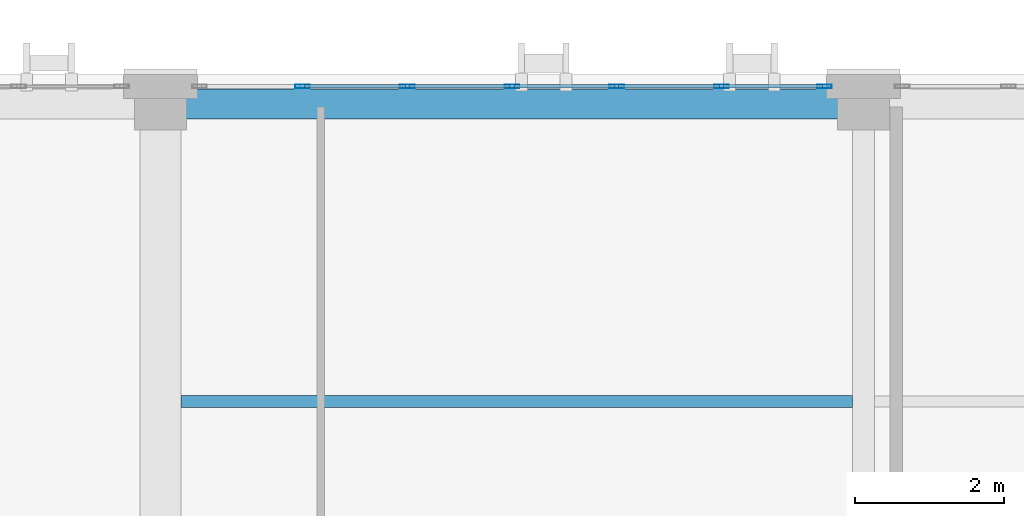
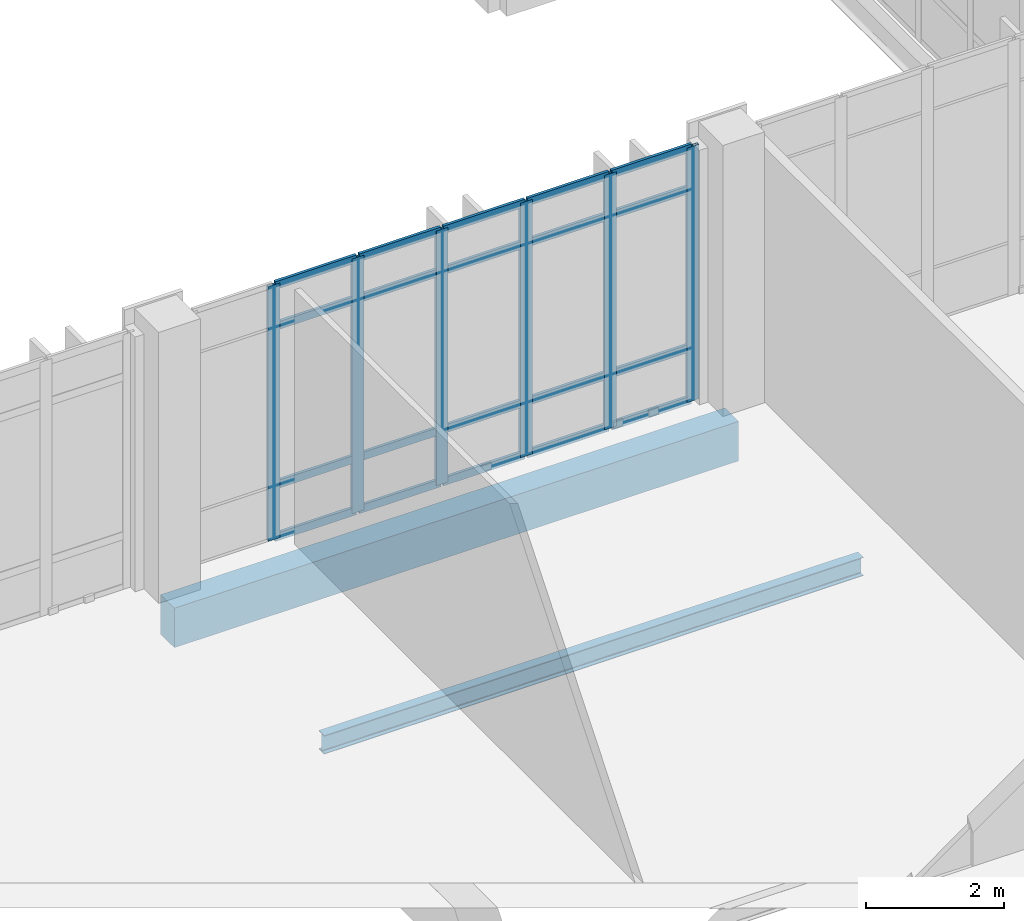
# One storey, part 38 of 189: 26 members, 2 beams, 1 element without a shape of its own.
"""IFC4 building model written with IfcOpenShell, lengths in metres."""

import ifcopenshell
import ifcopenshell.guid

model = None  # the IFC model being written
_history = None  # IfcOwnerHistory: only IFC2X3 demands one
_inside = {}  # id of a spatial element -> (the spatial element, [elements in it])
_under = {}  # id of a project, library or spatial element -> (it, [spatial elements below it])
_declared = {}  # id of a project -> (the project, [libraries it declares])
_typed = {}  # id of a type object -> (the type object, [elements of that type])
_made_of = {}  # id of a material, layer set ... -> (it, [elements and type objects made of it])


def new_model(schema):
    """Start an empty IFC model of exactly this schema.

    Asked for "IFC4X3", IfcOpenShell would pick the latest addendum, in which some entities
    have other attributes; the version numbers below select the first issue.
    IFC2X3 requires an IfcOwnerHistory on every rooted entity: one is made here for all.
    """
    global model, _history
    if schema == "IFC4X3":
        model = ifcopenshell.file(schema_version=(4, 3, 0, 0))
    else:
        model = ifcopenshell.file(schema=schema)
    _inside.clear()
    _under.clear()
    _declared.clear()
    _typed.clear()
    _made_of.clear()
    _history = None
    if model.schema == "IFC2X3":
        org = make("IfcOrganization", Name="unknown")
        user = make(
            "IfcPersonAndOrganization",
            ThePerson=make("IfcPerson", FamilyName="unknown"),
            TheOrganization=org,
        )
        app = make(
            "IfcApplication",
            ApplicationDeveloper=org,
            Version="unknown",
            ApplicationFullName="unknown",
            ApplicationIdentifier="unknown",
        )
        _history = make(
            "IfcOwnerHistory",
            OwningUser=user,
            OwningApplication=app,
            ChangeAction="ADDED",
            CreationDate=0,
        )
    return model


def make(cls, **values):
    """One entity of the class cls with the attributes given. An attribute that is None is left unset."""
    return model.create_entity(
        cls, **{name: value for name, value in values.items() if value is not None}
    )


def rooted(cls, **values):
    """An entity with a GlobalId (a new one), such as an element, a storey or a relation."""
    return make(cls, GlobalId=ifcopenshell.guid.new(), OwnerHistory=_history, **values)


def si_unit(unit_type, name, prefix=None):
    """IfcSIUnit, for example si_unit("LENGTHUNIT", "METRE", prefix="MILLI")."""
    return make("IfcSIUnit", UnitType=unit_type, Prefix=prefix, Name=name)


def assignment(units):
    """IfcUnitAssignment: the units of a project."""
    return None if units is None else make("IfcUnitAssignment", Units=units)


def point(xyz):
    """IfcCartesianPoint."""
    return None if xyz is None else make("IfcCartesianPoint", Coordinates=xyz)


def direction(xyz):
    """IfcDirection."""
    return None if xyz is None else make("IfcDirection", DirectionRatios=xyz)


def frame(location, z_axis=None, x_axis=None):
    """IfcAxis2Placement3D, a coordinate frame: its origin and axes. An axis left out is left unset."""
    return make(
        "IfcAxis2Placement3D",
        Location=point(location),
        Axis=direction(z_axis),
        RefDirection=direction(x_axis),
    )


def frame_2d(location, x_axis=None):
    """IfcAxis2Placement2D, a coordinate frame in the plane: its origin and x axis."""
    return make(
        "IfcAxis2Placement2D", Location=point(location), RefDirection=direction(x_axis)
    )


def origin():
    """The frame at (0, 0, 0) with its axes left unset."""
    return frame((0.0, 0.0, 0.0))


def origin_2d():
    """The frame at (0, 0) in the plane with its x axis left unset."""
    return frame_2d((0.0, 0.0))


def place(relative_to, where):
    """IfcLocalPlacement: puts the frame where relative to a parent placement (None: the world)."""
    return make(
        "IfcLocalPlacement", PlacementRelTo=relative_to, RelativePlacement=where
    )


def context(
    kind, dimensions, precision=None, world=None, true_north=None, identifier=None
):
    """IfcGeometricRepresentationContext, for example the 3D "Model" context."""
    return make(
        "IfcGeometricRepresentationContext",
        ContextIdentifier=identifier,
        ContextType=kind,
        CoordinateSpaceDimension=dimensions,
        Precision=precision,
        WorldCoordinateSystem=world,
        TrueNorth=true_north,
    )


def subcontext(parent, identifier, kind, view, scale=None):
    """IfcGeometricRepresentationSubContext, for example "Body" below "Model"."""
    return make(
        "IfcGeometricRepresentationSubContext",
        ContextIdentifier=identifier,
        ContextType=kind,
        ParentContext=parent,
        TargetScale=scale,
        TargetView=view,
    )


def project(units=None, contexts=None):
    """IfcProject with its units and contexts."""
    return rooted(
        "IfcProject",
        Name="project",
        RepresentationContexts=contexts,
        UnitsInContext=assignment(units),
    )


def spatial(cls, under=None, at=None, **own):
    """A site, building, storey or space (cls), placed at a placement, below another one or the project."""
    s = rooted(cls, ObjectPlacement=at, **own)
    if under is not None:
        _under.setdefault(under.id(), (under, []))[1].append(s)
    return s


def profile(cls, at=None, kind="AREA", **sizes):
    """A parametric profile (cls). Its sizes go by their IFC names, for example OverallWidth=200.0."""
    return make(cls, ProfileType=kind, Position=at, **sizes)


def rectangle(**sizes):
    """IfcRectangleProfileDef."""
    return profile("IfcRectangleProfileDef", **sizes)


def hollow_rectangle(**sizes):
    """IfcRectangleHollowProfileDef."""
    return profile("IfcRectangleHollowProfileDef", **sizes)


def i_section(**sizes):
    """IfcIShapeProfileDef."""
    return profile("IfcIShapeProfileDef", **sizes)


def extrude(swept, where, along, depth):
    """IfcExtrudedAreaSolid: the profile swept, set in the frame where, extruded along a direction by depth."""
    return make(
        "IfcExtrudedAreaSolid",
        SweptArea=swept,
        Position=where,
        ExtrudedDirection=direction(along),
        Depth=depth,
    )


def shape(context_of_items, identifier, shape_type, items):
    """IfcShapeRepresentation: the items that make up one representation, for example the "Body"."""
    return make(
        "IfcShapeRepresentation",
        ContextOfItems=context_of_items,
        RepresentationIdentifier=identifier,
        RepresentationType=shape_type,
        Items=items,
    )


def material(Name=None, Category=None):
    """IfcMaterial."""
    return make("IfcMaterial", Name=Name, Category=Category)


def layer(
    of_material, thickness, ventilated=None, Name=None, Category=None, Priority=None
):
    """IfcMaterialLayer: one layer of a wall or slab, of a material (None: an air gap)."""
    return make(
        "IfcMaterialLayer",
        Material=of_material,
        LayerThickness=thickness,
        IsVentilated=ventilated,
        Name=Name,
        Category=Category,
        Priority=Priority,
    )


def layer_set(layers, Name=None):
    """IfcMaterialLayerSet."""
    return make("IfcMaterialLayerSet", MaterialLayers=layers, LayerSetName=Name)


def material_profile(
    of_material, cross_section, Name=None, Category=None, Priority=None
):
    """IfcMaterialProfile: a cross section and its material."""
    return make(
        "IfcMaterialProfile",
        Name=Name,
        Material=of_material,
        Profile=cross_section,
        Priority=Priority,
        Category=Category,
    )


def profile_set(profiles, Name=None, composite=None):
    """IfcMaterialProfileSet."""
    return make(
        "IfcMaterialProfileSet",
        Name=Name,
        MaterialProfiles=profiles,
        CompositeProfile=composite,
    )


def made_of(thing, what):
    """Note that an element or type object is made of a material, layer set ...; save() writes the relation."""
    if what is not None:
        _made_of.setdefault(what.id(), (what, []))[1].append(thing)
    return thing


def type_object(cls, material=None, **own):
    """A type object (cls), such as IfcWallType, which elements share."""
    return made_of(rooted(cls, **own), material)


def element(
    cls,
    number,
    at=None,
    inside=None,
    cuts=None,
    type_object=None,
    material=None,
    context=None,
    identifier="Body",
    shape_type=None,
    held_by="IfcProductDefinitionShape",
    body=None,
    shapes=None,
    **own,
):
    """One element of the class cls, such as IfcWall. Its Tag is "e" and its number.

    at: its placement. inside: the storey or other place that contains it. cuts: it is an
    opening in that element (IfcRelVoidsElement). A single representation is given by context,
    identifier, shape_type and body (its items); several are given by shapes. held_by: the class
    of the entity that holds the representations. save() writes the other relations.
    """
    e = rooted(cls, Tag="e%d" % number, ObjectPlacement=at, **own)
    if body is not None:
        shapes = [shape(context, identifier, shape_type, body)]
    if shapes is not None:
        e.Representation = make(held_by, Representations=shapes)
    if inside is not None:
        _inside.setdefault(inside.id(), (inside, []))[1].append(e)
    if cuts is not None:
        rooted(
            "IfcRelVoidsElement", RelatingBuildingElement=cuts, RelatedOpeningElement=e
        )
    if type_object is not None:
        _typed.setdefault(type_object.id(), (type_object, []))[1].append(e)
    return made_of(e, material)


def aggregate(whole, parts):
    """IfcRelAggregates: a whole, such as a stair, and the parts it consists of."""
    return rooted("IfcRelAggregates", RelatingObject=whole, RelatedObjects=parts)


def save(model, path):
    """Write the relations noted so far, then the file.

    IfcRelAggregates (storeys below a building ...), IfcRelContainedInSpatialStructure (elements
    in a storey), IfcRelDefinesByType, IfcRelAssociatesMaterial and IfcRelDeclares: one each for
    every whole, place, type object, material and project.
    """
    for whole, parts in _under.values():
        aggregate(whole, parts)
    for where, things in _inside.values():
        rooted(
            "IfcRelContainedInSpatialStructure",
            RelatedElements=things,
            RelatingStructure=where,
        )
    for kind, things in _typed.values():
        rooted("IfcRelDefinesByType", RelatedObjects=things, RelatingType=kind)
    for what, things in _made_of.values():
        rooted("IfcRelAssociatesMaterial", RelatedObjects=things, RelatingMaterial=what)
    for by, libraries in _declared.values():
        rooted("IfcRelDeclares", RelatingContext=by, RelatedDefinitions=libraries)
    model.write(path)


model = new_model("IFC4")

# Units and contexts
model_context = context("Model", 3, precision=1e-05, world=origin(), true_north=direction((0.0, 1.0)))
body_context = subcontext(model_context, "Body", "Model", "MODEL_VIEW")
ifc_project = project(units=[si_unit("LENGTHUNIT", "METRE"), si_unit("AREAUNIT", "SQUARE_METRE"), si_unit("VOLUMEUNIT", "CUBIC_METRE"), si_unit("PLANEANGLEUNIT", "RADIAN"), si_unit("MASSUNIT", "GRAM", prefix="KILO")], contexts=[model_context])

# Site, building, storey
site_placement = place(None, origin())
site = spatial("IfcSite", under=ifc_project, at=site_placement, CompositionType="ELEMENT")
building_placement = place(site_placement, origin())
building = spatial("IfcBuilding", under=site, at=building_placement, Name="Qalavern Law Courts", CompositionType="ELEMENT")
storey_placement = place(building_placement, frame((0.0, 0.0, 5.39990234375)))
storey = spatial("IfcBuildingStorey", under=building, at=storey_placement, Name="L01", CompositionType="ELEMENT", Elevation=5.39990234375)

# Curtain wall, members
ifc_material_1 = material(Name="Anodised aluminium and insulated glazing", Category="aluminium")
ifc_layer = layer(ifc_material_1, 0.18505859375)
ifc_layer_set = layer_set([ifc_layer], Name="Anodised aluminium and insulated glazing")
curtain_wall_type = type_object("IfcCurtainWallType", Name="ENV-CW-HALL", PredefinedType="USERDEFINED", material=ifc_layer_set)
curtain_wall_placement = place(storey_placement, origin())
curtain_wall = element("IfcCurtainWall", 1, at=curtain_wall_placement, inside=storey, type_object=curtain_wall_type, Name="V2 unitised curtain wall L01 north 2", ObjectType="UNITISED CURTAIN WALL", PredefinedType="USERDEFINED")
ifc_material_2 = material(Name="Anodised aluminium", Category="aluminium")
ifc_material_profile_1 = material_profile(ifc_material_2, hollow_rectangle(XDim=0.048095703125, YDim=0.199951171875, WallThickness=0.00439453125, at=origin_2d()), Name="ALU MULLION 48x200")
ifc_profile_set_1 = profile_set([ifc_material_profile_1], Name="Anodised aluminium")
member_type_1 = type_object("IfcMemberType", Name="ENV-CWM-48x200", PredefinedType="MULLION", material=ifc_profile_set_1)
member_1_placement = place(storey_placement, frame((81.367431640625, 30.237548828125, 0.0), z_axis=(0.0, 0.0, 1.0), x_axis=(0.0, -1.0, 0.0)))
member_1 = element("IfcMember", 2, at=member_1_placement, type_object=member_type_1, Name="CW-02 mullion 1", PredefinedType="MULLION", context=body_context, shape_type="SweptSolid", body=[
    extrude(hollow_rectangle(XDim=0.048095703125, YDim=0.199951171875, WallThickness=0.00439453125, at=origin_2d()), origin(), (0.0, 0.0, 1.0), 4.510009765625),
])
member_2_placement = place(storey_placement, frame((79.982421875, 30.237548828125, 0.0), z_axis=(0.0, 0.0, 1.0), x_axis=(0.0, -1.0, 0.0)))
member_2 = element("IfcMember", 3, at=member_2_placement, type_object=member_type_1, Name="CW-02 mullion 2", PredefinedType="MULLION", context=body_context, shape_type="SweptSolid", body=[
    extrude(hollow_rectangle(XDim=0.048095703125, YDim=0.199951171875, WallThickness=0.00439453125, at=origin_2d()), origin(), (0.0, 0.0, 1.0), 4.510009765625),
])
member_3_placement = place(storey_placement, frame((78.5732421875, 30.237548828125, 0.0), z_axis=(0.0, 0.0, 1.0), x_axis=(0.0, -1.0, 0.0)))
member_3 = element("IfcMember", 4, at=member_3_placement, type_object=member_type_1, Name="CW-02 mullion 3", PredefinedType="MULLION", context=body_context, shape_type="SweptSolid", body=[
    extrude(hollow_rectangle(XDim=0.048095703125, YDim=0.199951171875, WallThickness=0.00439453125, at=origin_2d()), origin(), (0.0, 0.0, 1.0), 4.510009765625),
])
member_4_placement = place(storey_placement, frame((77.164306640625, 30.237548828125, 0.0), z_axis=(0.0, 0.0, 1.0), x_axis=(0.0, -1.0, 0.0)))
member_4 = element("IfcMember", 5, at=member_4_placement, type_object=member_type_1, Name="CW-02 mullion 4", PredefinedType="MULLION", context=body_context, shape_type="SweptSolid", body=[
    extrude(hollow_rectangle(XDim=0.048095703125, YDim=0.199951171875, WallThickness=0.00439453125, at=origin_2d()), origin(), (0.0, 0.0, 1.0), 4.510009765625),
])
member_5_placement = place(storey_placement, frame((75.755126953125, 30.237548828125, 0.0), z_axis=(0.0, 0.0, 1.0), x_axis=(0.0, -1.0, 0.0)))
member_5 = element("IfcMember", 6, at=member_5_placement, type_object=member_type_1, Name="CW-02 mullion 5", PredefinedType="MULLION", context=body_context, shape_type="SweptSolid", body=[
    extrude(hollow_rectangle(XDim=0.048095703125, YDim=0.199951171875, WallThickness=0.00439453125, at=origin_2d()), origin(), (0.0, 0.0, 1.0), 4.510009765625),
])
member_6_placement = place(storey_placement, frame((74.34619140625, 30.237548828125, 0.0), z_axis=(0.0, 0.0, 1.0), x_axis=(0.0, -1.0, 0.0)))
member_6 = element("IfcMember", 7, at=member_6_placement, type_object=member_type_1, Name="CW-02 mullion 6", PredefinedType="MULLION", context=body_context, shape_type="SweptSolid", body=[
    extrude(hollow_rectangle(XDim=0.048095703125, YDim=0.199951171875, WallThickness=0.00439453125, at=origin_2d()), origin(), (0.0, 0.0, 1.0), 4.510009765625),
])
ifc_material_profile_2 = material_profile(ifc_material_2, hollow_rectangle(XDim=0.048095703125, YDim=0.139892578125, WallThickness=0.00390625, at=origin_2d()), Name="ALU TRANSOM 48x140")
ifc_profile_set_2 = profile_set([ifc_material_profile_2], Name="Anodised aluminium")
member_type_2 = type_object("IfcMemberType", Name="ENV-CWT-48x140", PredefinedType="USERDEFINED", material=ifc_profile_set_2)
member_7_placement = place(storey_placement, frame((81.343505859375, 30.237548828125, 0.024169921875), z_axis=(-1.0, 0.0, 0.0), x_axis=(0.0, -1.0, 0.0)))
member_7 = element("IfcMember", 8, at=member_7_placement, type_object=member_type_2, Name="CW-02 transom 1.1", ObjectType="TRANSOM", PredefinedType="USERDEFINED", context=body_context, shape_type="SweptSolid", body=[
    extrude(hollow_rectangle(XDim=0.048095703125, YDim=0.139892578125, WallThickness=0.00390625, at=origin_2d()), origin(), (0.0, 0.0, 1.0), 1.337158203125),
])
member_8_placement = place(storey_placement, frame((81.343505859375, 30.237548828125, 0.9501953125), z_axis=(-1.0, 0.0, 0.0), x_axis=(0.0, -1.0, 0.0)))
member_8 = element("IfcMember", 9, at=member_8_placement, type_object=member_type_2, Name="CW-02 transom 1.2", ObjectType="TRANSOM", PredefinedType="USERDEFINED", context=body_context, shape_type="SweptSolid", body=[
    extrude(hollow_rectangle(XDim=0.048095703125, YDim=0.139892578125, WallThickness=0.00390625, at=origin_2d()), origin(), (0.0, 0.0, 1.0), 1.337158203125),
])
member_9_placement = place(storey_placement, frame((81.343505859375, 30.237548828125, 3.760009765625), z_axis=(-1.0, 0.0, 0.0), x_axis=(0.0, -1.0, 0.0)))
member_9 = element("IfcMember", 10, at=member_9_placement, type_object=member_type_2, Name="CW-02 transom 1.3", ObjectType="TRANSOM", PredefinedType="USERDEFINED", context=body_context, shape_type="SweptSolid", body=[
    extrude(hollow_rectangle(XDim=0.048095703125, YDim=0.139892578125, WallThickness=0.00390625, at=origin_2d()), origin(), (0.0, 0.0, 1.0), 1.337158203125),
])
member_10_placement = place(storey_placement, frame((81.343505859375, 30.237548828125, 4.486083984375), z_axis=(-1.0, 0.0, 0.0), x_axis=(0.0, -1.0, 0.0)))
member_10 = element("IfcMember", 11, at=member_10_placement, type_object=member_type_2, Name="CW-02 transom 1.4", ObjectType="TRANSOM", PredefinedType="USERDEFINED", context=body_context, shape_type="SweptSolid", body=[
    extrude(hollow_rectangle(XDim=0.048095703125, YDim=0.139892578125, WallThickness=0.00390625, at=origin_2d()), origin(), (0.0, 0.0, 1.0), 1.337158203125),
])
member_11_placement = place(storey_placement, frame((79.958251953125, 30.237548828125, 0.024169921875), z_axis=(-1.0, 0.0, 0.0), x_axis=(0.0, -1.0, 0.0)))
member_11 = element("IfcMember", 12, at=member_11_placement, type_object=member_type_2, Name="CW-02 transom 2.1", ObjectType="TRANSOM", PredefinedType="USERDEFINED", context=body_context, shape_type="SweptSolid", body=[
    extrude(hollow_rectangle(XDim=0.048095703125, YDim=0.139892578125, WallThickness=0.00390625, at=origin_2d()), origin(), (0.0, 0.0, 1.0), 1.36083984375),
])
member_12_placement = place(storey_placement, frame((79.958251953125, 30.237548828125, 0.9501953125), z_axis=(-1.0, 0.0, 0.0), x_axis=(0.0, -1.0, 0.0)))
member_12 = element("IfcMember", 13, at=member_12_placement, type_object=member_type_2, Name="CW-02 transom 2.2", ObjectType="TRANSOM", PredefinedType="USERDEFINED", context=body_context, shape_type="SweptSolid", body=[
    extrude(hollow_rectangle(XDim=0.048095703125, YDim=0.139892578125, WallThickness=0.00390625, at=origin_2d()), origin(), (0.0, 0.0, 1.0), 1.36083984375),
])
member_13_placement = place(storey_placement, frame((79.958251953125, 30.237548828125, 3.760009765625), z_axis=(-1.0, 0.0, 0.0), x_axis=(0.0, -1.0, 0.0)))
member_13 = element("IfcMember", 14, at=member_13_placement, type_object=member_type_2, Name="CW-02 transom 2.3", ObjectType="TRANSOM", PredefinedType="USERDEFINED", context=body_context, shape_type="SweptSolid", body=[
    extrude(hollow_rectangle(XDim=0.048095703125, YDim=0.139892578125, WallThickness=0.00390625, at=origin_2d()), origin(), (0.0, 0.0, 1.0), 1.36083984375),
])
member_14_placement = place(storey_placement, frame((79.958251953125, 30.237548828125, 4.486083984375), z_axis=(-1.0, 0.0, 0.0), x_axis=(0.0, -1.0, 0.0)))
member_14 = element("IfcMember", 15, at=member_14_placement, type_object=member_type_2, Name="CW-02 transom 2.4", ObjectType="TRANSOM", PredefinedType="USERDEFINED", context=body_context, shape_type="SweptSolid", body=[
    extrude(hollow_rectangle(XDim=0.048095703125, YDim=0.139892578125, WallThickness=0.00390625, at=origin_2d()), origin(), (0.0, 0.0, 1.0), 1.36083984375),
])
member_15_placement = place(storey_placement, frame((78.54931640625, 30.237548828125, 0.024169921875), z_axis=(-1.0, 0.0, 0.0), x_axis=(0.0, -1.0, 0.0)))
member_15 = element("IfcMember", 16, at=member_15_placement, type_object=member_type_2, Name="CW-02 transom 3.1", ObjectType="TRANSOM", PredefinedType="USERDEFINED", context=body_context, shape_type="SweptSolid", body=[
    extrude(hollow_rectangle(XDim=0.048095703125, YDim=0.139892578125, WallThickness=0.00390625, at=origin_2d()), origin(), (0.0, 0.0, 1.0), 1.361083984375),
])
member_16_placement = place(storey_placement, frame((78.54931640625, 30.237548828125, 0.9501953125), z_axis=(-1.0, 0.0, 0.0), x_axis=(0.0, -1.0, 0.0)))
member_16 = element("IfcMember", 17, at=member_16_placement, type_object=member_type_2, Name="CW-02 transom 3.2", ObjectType="TRANSOM", PredefinedType="USERDEFINED", context=body_context, shape_type="SweptSolid", body=[
    extrude(hollow_rectangle(XDim=0.048095703125, YDim=0.139892578125, WallThickness=0.00390625, at=origin_2d()), origin(), (0.0, 0.0, 1.0), 1.361083984375),
])
member_17_placement = place(storey_placement, frame((78.54931640625, 30.237548828125, 3.760009765625), z_axis=(-1.0, 0.0, 0.0), x_axis=(0.0, -1.0, 0.0)))
member_17 = element("IfcMember", 18, at=member_17_placement, type_object=member_type_2, Name="CW-02 transom 3.3", ObjectType="TRANSOM", PredefinedType="USERDEFINED", context=body_context, shape_type="SweptSolid", body=[
    extrude(hollow_rectangle(XDim=0.048095703125, YDim=0.139892578125, WallThickness=0.00390625, at=origin_2d()), origin(), (0.0, 0.0, 1.0), 1.361083984375),
])
member_18_placement = place(storey_placement, frame((78.54931640625, 30.237548828125, 4.486083984375), z_axis=(-1.0, 0.0, 0.0), x_axis=(0.0, -1.0, 0.0)))
member_18 = element("IfcMember", 19, at=member_18_placement, type_object=member_type_2, Name="CW-02 transom 3.4", ObjectType="TRANSOM", PredefinedType="USERDEFINED", context=body_context, shape_type="SweptSolid", body=[
    extrude(hollow_rectangle(XDim=0.048095703125, YDim=0.139892578125, WallThickness=0.00390625, at=origin_2d()), origin(), (0.0, 0.0, 1.0), 1.361083984375),
])
member_19_placement = place(storey_placement, frame((77.14013671875, 30.237548828125, 0.024169921875), z_axis=(-1.0, 0.0, 0.0), x_axis=(0.0, -1.0, 0.0)))
member_19 = element("IfcMember", 20, at=member_19_placement, type_object=member_type_2, Name="CW-02 transom 4.1", ObjectType="TRANSOM", PredefinedType="USERDEFINED", context=body_context, shape_type="SweptSolid", body=[
    extrude(hollow_rectangle(XDim=0.048095703125, YDim=0.139892578125, WallThickness=0.00390625, at=origin_2d()), origin(), (0.0, 0.0, 1.0), 1.36083984375),
])
member_20_placement = place(storey_placement, frame((77.14013671875, 30.237548828125, 0.9501953125), z_axis=(-1.0, 0.0, 0.0), x_axis=(0.0, -1.0, 0.0)))
member_20 = element("IfcMember", 21, at=member_20_placement, type_object=member_type_2, Name="CW-02 transom 4.2", ObjectType="TRANSOM", PredefinedType="USERDEFINED", context=body_context, shape_type="SweptSolid", body=[
    extrude(hollow_rectangle(XDim=0.048095703125, YDim=0.139892578125, WallThickness=0.00390625, at=origin_2d()), origin(), (0.0, 0.0, 1.0), 1.36083984375),
])
member_21_placement = place(storey_placement, frame((77.14013671875, 30.237548828125, 3.760009765625), z_axis=(-1.0, 0.0, 0.0), x_axis=(0.0, -1.0, 0.0)))
member_21 = element("IfcMember", 22, at=member_21_placement, type_object=member_type_2, Name="CW-02 transom 4.3", ObjectType="TRANSOM", PredefinedType="USERDEFINED", context=body_context, shape_type="SweptSolid", body=[
    extrude(hollow_rectangle(XDim=0.048095703125, YDim=0.139892578125, WallThickness=0.00390625, at=origin_2d()), origin(), (0.0, 0.0, 1.0), 1.36083984375),
])
member_22_placement = place(storey_placement, frame((77.14013671875, 30.237548828125, 4.486083984375), z_axis=(-1.0, 0.0, 0.0), x_axis=(0.0, -1.0, 0.0)))
member_22 = element("IfcMember", 23, at=member_22_placement, type_object=member_type_2, Name="CW-02 transom 4.4", ObjectType="TRANSOM", PredefinedType="USERDEFINED", context=body_context, shape_type="SweptSolid", body=[
    extrude(hollow_rectangle(XDim=0.048095703125, YDim=0.139892578125, WallThickness=0.00390625, at=origin_2d()), origin(), (0.0, 0.0, 1.0), 1.36083984375),
])
member_23_placement = place(storey_placement, frame((75.731201171875, 30.237548828125, 0.024169921875), z_axis=(-1.0, 0.0, 0.0), x_axis=(0.0, -1.0, 0.0)))
member_23 = element("IfcMember", 24, at=member_23_placement, type_object=member_type_2, Name="CW-02 transom 5.1", ObjectType="TRANSOM", PredefinedType="USERDEFINED", context=body_context, shape_type="SweptSolid", body=[
    extrude(hollow_rectangle(XDim=0.048095703125, YDim=0.139892578125, WallThickness=0.00390625, at=origin_2d()), origin(), (0.0, 0.0, 1.0), 1.361083984375),
])
member_24_placement = place(storey_placement, frame((75.731201171875, 30.237548828125, 0.9501953125), z_axis=(-1.0, 0.0, 0.0), x_axis=(0.0, -1.0, 0.0)))
member_24 = element("IfcMember", 25, at=member_24_placement, type_object=member_type_2, Name="CW-02 transom 5.2", ObjectType="TRANSOM", PredefinedType="USERDEFINED", context=body_context, shape_type="SweptSolid", body=[
    extrude(hollow_rectangle(XDim=0.048095703125, YDim=0.139892578125, WallThickness=0.00390625, at=origin_2d()), origin(), (0.0, 0.0, 1.0), 1.361083984375),
])
member_25_placement = place(storey_placement, frame((75.731201171875, 30.237548828125, 3.760009765625), z_axis=(-1.0, 0.0, 0.0), x_axis=(0.0, -1.0, 0.0)))
member_25 = element("IfcMember", 26, at=member_25_placement, type_object=member_type_2, Name="CW-02 transom 5.3", ObjectType="TRANSOM", PredefinedType="USERDEFINED", context=body_context, shape_type="SweptSolid", body=[
    extrude(hollow_rectangle(XDim=0.048095703125, YDim=0.139892578125, WallThickness=0.00390625, at=origin_2d()), origin(), (0.0, 0.0, 1.0), 1.361083984375),
])
member_26_placement = place(storey_placement, frame((75.731201171875, 30.237548828125, 4.486083984375), z_axis=(-1.0, 0.0, 0.0), x_axis=(0.0, -1.0, 0.0)))
member_26 = element("IfcMember", 27, at=member_26_placement, type_object=member_type_2, Name="CW-02 transom 5.4", ObjectType="TRANSOM", PredefinedType="USERDEFINED", context=body_context, shape_type="SweptSolid", body=[
    extrude(hollow_rectangle(XDim=0.048095703125, YDim=0.139892578125, WallThickness=0.00390625, at=origin_2d()), origin(), (0.0, 0.0, 1.0), 1.361083984375),
])
aggregate(curtain_wall, [member_1, member_2, member_3, member_4, member_5, member_6, member_7, member_8, member_9, member_10, member_11, member_12, member_13, member_14, member_15, member_16, member_17, member_18, member_19, member_20, member_21, member_22, member_23, member_24, member_25, member_26])

# Beams
ifc_material_3 = material(Name="Steel S355", Category="steel")
ifc_material_profile_3 = material_profile(ifc_material_3, i_section(OverallWidth=0.159912109375, OverallDepth=0.330078125, WebThickness=0.007568359375, FlangeThickness=0.011474609375, FilletRadius=0.01806640625, at=origin_2d()), Name="IPE 330")
ifc_profile_set_3 = profile_set([ifc_material_profile_3], Name="Steel S355")
beam_type_1 = type_object("IfcBeamType", Name="STR-JST-IPE330", PredefinedType="JOIST", material=ifc_profile_set_3)
beam_1_placement = place(storey_placement, frame((72.710205078125, 26.0, -0.46484375), z_axis=(1.0, 0.0, 0.0), x_axis=(0.0, 1.0, 0.0)))
element("IfcBeam", 28, at=beam_1_placement, inside=storey, type_object=beam_type_1, Name="V2 secondary joist 5.3.1 L01", PredefinedType="JOIST", context=body_context, shape_type="SweptSolid", body=[
    extrude(i_section(OverallWidth=0.159912109375, OverallDepth=0.330078125, WebThickness=0.007568359375, FlangeThickness=0.011474609375, FilletRadius=0.01806640625, at=origin_2d()), origin(), (0.0, 0.0, 1.0), 9.033203125),
])
ifc_material_4 = material(Name="Concrete C40/50", Category="concrete")
ifc_material_profile_4 = material_profile(ifc_material_4, rectangle(XDim=0.39990234375, YDim=0.699951171875, at=origin_2d()), Name="RC 400x700")
ifc_profile_set_4 = profile_set([ifc_material_profile_4], Name="Concrete C40/50")
beam_type_2 = type_object("IfcBeamType", Name="STR-SP-RC400x700", PredefinedType="SPANDREL", material=ifc_profile_set_4)
beam_2_placement = place(storey_placement, frame((72.43701171875, 30.0, -0.64990234375), z_axis=(1.0, 0.0, 0.0), x_axis=(0.0, 1.0, 0.0)))
element("IfcBeam", 29, at=beam_2_placement, inside=storey, type_object=beam_type_2, Name="V2 X-beam 4-5 L01", PredefinedType="SPANDREL", context=body_context, shape_type="SweptSolid", body=[
    extrude(rectangle(XDim=0.39990234375, YDim=0.699951171875, at=origin_2d()), origin(), (0.0, 0.0, 1.0), 9.454345703125),
])

save(model, "model.ifc")
